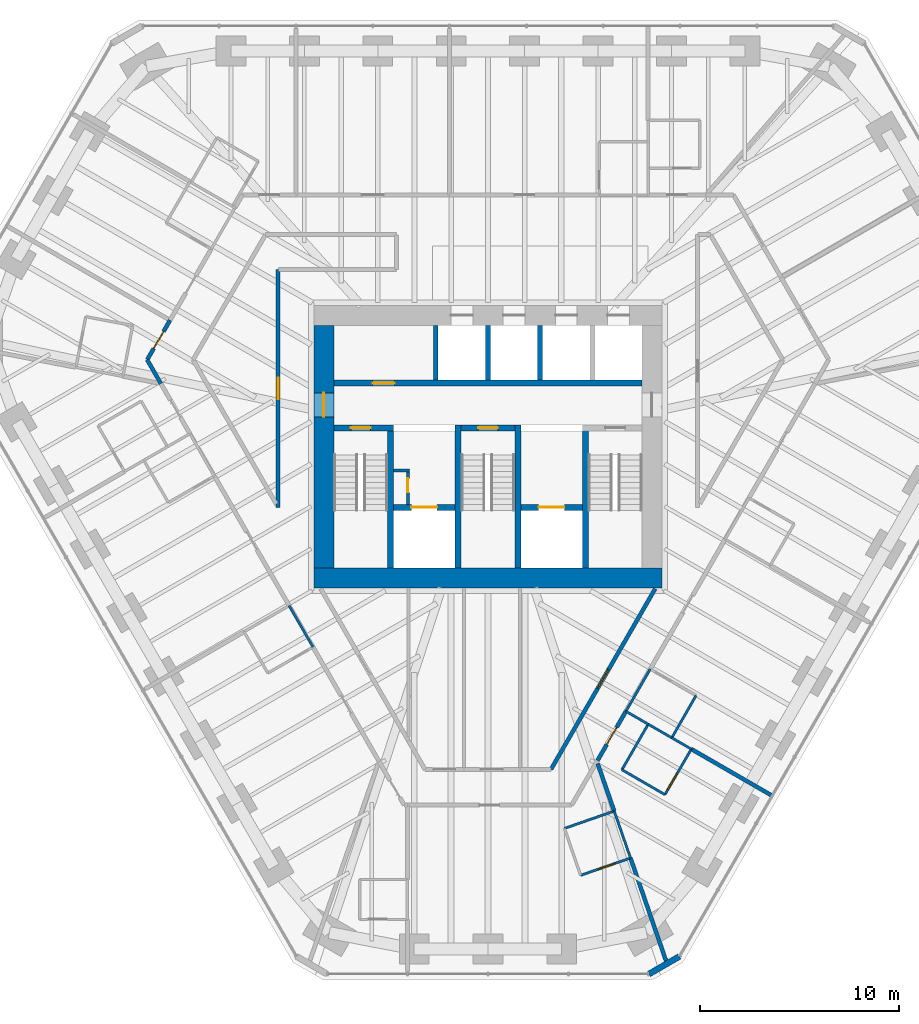
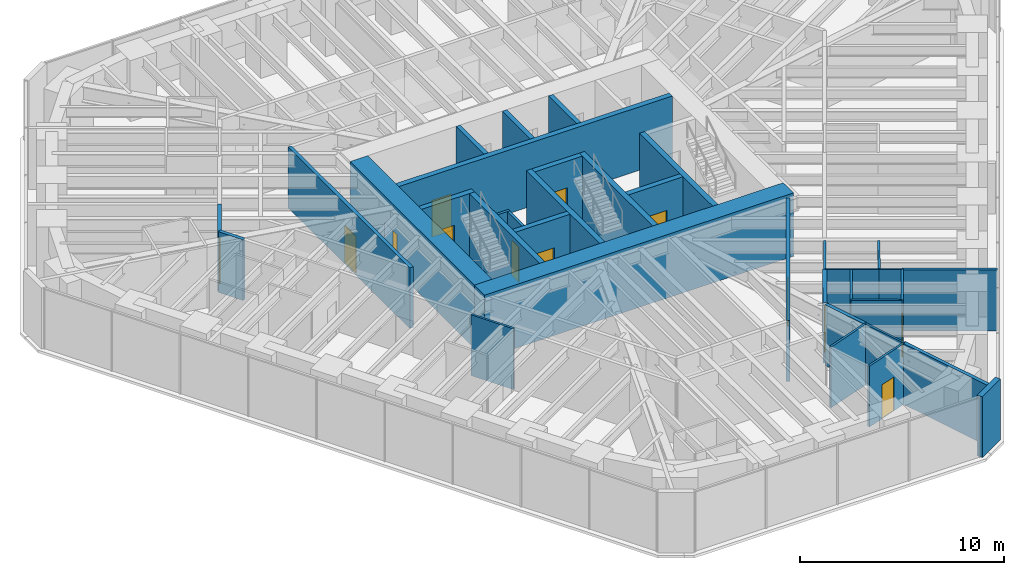
# One storey, part 12 of 16: 37 walls, 13 doors, 13 openings.
"""IFC4 building model written with IfcOpenShell, lengths in metres."""

from ifc_helpers import new_model, si_unit, direction, frame, frame_2d, origin, place, context, subcontext, project, spatial, rectangle, extrude, material, layer, layer_set, type_object, element, fill, save


model = new_model("IFC4")

# Units and contexts
model_context = context("Model", 3, precision=1e-05, world=origin(), true_north=direction((0.0, 1.0)))
body_context = subcontext(model_context, "Body", "Model", "MODEL_VIEW")
ifc_project = project(units=[si_unit("LENGTHUNIT", "METRE"), si_unit("AREAUNIT", "SQUARE_METRE"), si_unit("VOLUMEUNIT", "CUBIC_METRE"), si_unit("PLANEANGLEUNIT", "RADIAN"), si_unit("MASSUNIT", "GRAM", prefix="KILO")], contexts=[model_context])

# Site, building, storey
site_placement = place(None, origin())
site = spatial("IfcSite", under=ifc_project, at=site_placement, CompositionType="ELEMENT")
building_placement = place(site_placement, origin())
building = spatial("IfcBuilding", under=site, at=building_placement, Name="Sandreach Pilgrim Tower", CompositionType="ELEMENT")
storey_placement = place(building_placement, frame((0.0, 0.0, 228.800048828125)))
storey = spatial("IfcBuildingStorey", under=building, at=storey_placement, Name="L57", CompositionType="ELEMENT", Elevation=228.800048828125)

# Wall
ifc_material_1 = material(Name="Moisture-resistant gypsum board on steel studs", Category="steel")
ifc_layer_1 = layer(ifc_material_1, 0.1201171875)
ifc_layer_set_1 = layer_set([ifc_layer_1], Name="Bathroom partition 120")
wall_type_1 = type_object("IfcWallType", Name="Bathroom partition 120", PredefinedType="PARTITIONING", material=ifc_layer_set_1)
wall_1_placement = place(storey_placement, frame((-10.0, -8.0, 0.0), z_axis=(0.0, 0.0, 1.0), x_axis=(0.499693115345, -0.866202511239, 0.0)))
element("IfcWall", 1, at=wall_1_placement, inside=storey, type_object=wall_type_1, Name="Bathroom partition L57-040", PredefinedType="PARTITIONING", context=body_context, shape_type="SweptSolid", body=[
    extrude(rectangle(XDim=2.4013671875, YDim=0.1201171875, at=frame_2d((1.20068359375, 0.0))), origin(), (0.0, 0.0, 1.0), 3.639892578125),
])

# Wall, opening, door
wall_2_placement = place(storey_placement, frame((4.659912109375, -21.56005859375, 0.0), z_axis=(0.0, 0.0, 1.0), x_axis=(0.944838473769, 0.327536652126, 0.0)))
wall_2 = element("IfcWall", 2, at=wall_2_placement, inside=storey, type_object=wall_type_1, Name="Bathroom partition L57-068", PredefinedType="PARTITIONING", context=body_context, shape_type="SweptSolid", body=[
    extrude(rectangle(XDim=2.656494140625, YDim=0.1201171875, at=frame_2d((1.328125, 0.0))), origin(), (0.0, 0.0, 1.0), 3.639892578125),
])
opening_1_placement = place(wall_2_placement, frame((0.949951171875, 0.0, 0.0)))
opening_1 = element("IfcOpeningElement", 3, at=opening_1_placement, cuts=wall_2, Name="Opening D09-09B", PredefinedType="OPENING", context=body_context, shape_type="SweptSolid", body=[
    extrude(rectangle(XDim=0.89990234375, YDim=2.030029296875, at=frame_2d((0.449951171875, 1.01513671875))), frame((0.0, 0.06005859375, 0.0), z_axis=(0.0, -1.0, 0.0), x_axis=(1.0, 0.0, 0.0)), (0.0, 0.0, 1.0), 0.1201171875),
])
ifc_material_2 = material(Name="Timber door, steel frame", Category="steel")
door_type_1 = type_object("IfcDoorType", Name="Bathroom door", OperationType="SINGLE_SWING_LEFT", PredefinedType="DOOR", material=ifc_material_2)
door_1_placement = place(opening_1_placement, origin())
door_1 = element("IfcDoor", 4, at=door_1_placement, inside=storey, type_object=door_type_1, Name="Door 5709B", OperationType="SINGLE_SWING_RIGHT", OverallHeight=2.030029296875, OverallWidth=0.89990234375, PredefinedType="DOOR", context=body_context, shape_type="SweptSolid", body=[
    extrude(rectangle(XDim=0.89990234375, YDim=2.030029296875, at=frame_2d((0.449951171875, 1.01513671875))), frame((0.0, 0.02490234375, 0.0), z_axis=(0.0, -1.0, 0.0), x_axis=(1.0, 0.0, 0.0)), (0.0, 0.0, 1.0), 0.050048828125),
])
fill(opening_1, door_1)

# Walls
wall_3_placement = place(storey_placement, frame((6.35009765625, -18.330078125, 0.0), z_axis=(0.0, 0.0, 1.0), x_axis=(-0.944470666048, -0.328595740956, 0.0)))
element("IfcWall", 5, at=wall_3_placement, inside=storey, type_object=wall_type_1, Name="Bathroom partition L57-074", PredefinedType="PARTITIONING", context=body_context, shape_type="SweptSolid", body=[
    extrude(rectangle(XDim=2.647216796875, YDim=0.1201171875, at=frame_2d((1.32373046875, 0.0))), origin(), (0.0, 0.0, 1.0), 3.639892578125),
])
wall_4_placement = place(storey_placement, frame((6.35009765625, -18.330078125, 0.0), z_axis=(0.0, 0.0, 1.0), x_axis=(0.328164304993, -0.944620658745, 0.0)))
element("IfcWall", 6, at=wall_4_placement, inside=storey, type_object=wall_type_1, Name="Bathroom partition L57-075", PredefinedType="PARTITIONING", context=body_context, shape_type="SweptSolid", body=[
    extrude(rectangle(XDim=2.498291015625, YDim=0.1201171875, at=frame_2d((1.2490234375, 0.0))), origin(), (0.0, 0.0, 1.0), 3.639892578125),
])
wall_5_placement = place(storey_placement, frame((6.739990234375, -16.25, 0.0), z_axis=(0.0, 0.0, 1.0), x_axis=(0.865508881864, -0.500893576935, 0.0)))
element("IfcWall", 7, at=wall_5_placement, inside=storey, type_object=wall_type_1, Name="Bathroom partition L57-076", PredefinedType="PARTITIONING", context=body_context, shape_type="SweptSolid", body=[
    extrude(rectangle(XDim=2.49560546875, YDim=0.1201171875, at=frame_2d((1.247802734375, 0.0))), origin(), (0.0, 0.0, 1.0), 3.639892578125),
])
wall_6_placement = place(storey_placement, frame((6.93994140625, -13.31005859375, 0.0), z_axis=(0.0, 0.0, 1.0), x_axis=(0.864952631286, -0.501853510132, 0.0)))
element("IfcWall", 8, at=wall_6_placement, inside=storey, type_object=wall_type_1, Name="Bathroom partition L57-077", PredefinedType="PARTITIONING", context=body_context, shape_type="SweptSolid", body=[
    extrude(rectangle(XDim=1.294921875, YDim=0.1201171875, at=frame_2d((0.6474609375, 0.0))), origin(), (0.0, 0.0, 1.0), 3.639892578125),
])
wall_7_placement = place(storey_placement, frame((6.93994140625, -13.31005859375, 0.0), z_axis=(0.0, 0.0, 1.0), x_axis=(0.498748634132, 0.866746675766, 0.0)))
element("IfcWall", 9, at=wall_7_placement, inside=storey, type_object=wall_type_1, Name="Bathroom partition L57-078", PredefinedType="PARTITIONING", context=body_context, shape_type="SweptSolid", body=[
    extrude(rectangle(XDim=2.446044921875, YDim=0.1201171875, at=frame_2d((1.22314453125, 0.0))), origin(), (0.0, 0.0, 1.0), 3.639892578125),
])
wall_8_placement = place(storey_placement, frame((8.06005859375, -13.9599609375, 0.0), z_axis=(0.0, 0.0, 1.0), x_axis=(-0.499407914056, -0.866366975004, 0.0)))
element("IfcWall", 10, at=wall_8_placement, inside=storey, type_object=wall_type_1, Name="Bathroom partition L57-080", PredefinedType="PARTITIONING", context=body_context, shape_type="SweptSolid", body=[
    extrude(rectangle(XDim=2.643310546875, YDim=0.1201171875, at=frame_2d((1.32177734375, 0.0))), origin(), (0.0, 0.0, 1.0), 3.639892578125),
])
wall_9_placement = place(storey_placement, frame((8.06005859375, -13.9599609375, 0.0), z_axis=(0.0, 0.0, 1.0), x_axis=(0.866505716338, -0.499167149914, 0.0)))
element("IfcWall", 11, at=wall_9_placement, inside=storey, type_object=wall_type_1, Name="Bathroom partition L57-081", PredefinedType="PARTITIONING", context=body_context, shape_type="SweptSolid", body=[
    extrude(rectangle(XDim=1.370361328125, YDim=0.1201171875, at=frame_2d((0.68505859375, 0.0))), origin(), (0.0, 0.0, 1.0), 3.639892578125),
])

# Wall, opening, door
wall_10_placement = place(storey_placement, frame((8.89990234375, -17.5, 0.0), z_axis=(0.0, 0.0, 1.0), x_axis=(0.502242265546, 0.864726954997, 0.0)))
wall_10 = element("IfcWall", 12, at=wall_10_placement, inside=storey, type_object=wall_type_1, Name="Bathroom partition L57-091", PredefinedType="PARTITIONING", context=body_context, shape_type="SweptSolid", body=[
    extrude(rectangle(XDim=2.648193359375, YDim=0.1201171875, at=frame_2d((1.32421875, 0.0))), origin(), (0.0, 0.0, 1.0), 3.639892578125),
])
opening_2_placement = place(wall_10_placement, frame((0.300048828125, 0.0, 0.0)))
opening_2 = element("IfcOpeningElement", 13, at=opening_2_placement, cuts=wall_10, Name="Opening D09-08B", PredefinedType="OPENING", context=body_context, shape_type="SweptSolid", body=[
    extrude(rectangle(XDim=0.89990234375, YDim=2.030029296875, at=frame_2d((0.449951171875, 1.01513671875))), frame((0.0, 0.06005859375, 0.0), z_axis=(0.0, -1.0, 0.0), x_axis=(1.0, 0.0, 0.0)), (0.0, 0.0, 1.0), 0.1201171875),
])
door_2_placement = place(opening_2_placement, origin())
door_2 = element("IfcDoor", 14, at=door_2_placement, inside=storey, type_object=door_type_1, Name="Door 5708B", OperationType="SINGLE_SWING_LEFT", OverallHeight=2.030029296875, OverallWidth=0.89990234375, PredefinedType="DOOR", context=body_context, shape_type="SweptSolid", body=[
    extrude(rectangle(XDim=0.89990234375, YDim=2.030029296875, at=frame_2d((0.449951171875, 1.01513671875))), frame((0.0, 0.02490234375, 0.0), z_axis=(0.0, -1.0, 0.0), x_axis=(1.0, 0.0, 0.0)), (0.0, 0.0, 1.0), 0.050048828125),
])
fill(opening_2, door_2)

# Walls
wall_11_placement = place(storey_placement, frame((9.24755859375, -14.64404296875, 0.0), z_axis=(0.0, 0.0, 1.0), x_axis=(0.866515213998, -0.499150662536, 0.0)))
element("IfcWall", 15, at=wall_11_placement, inside=storey, type_object=wall_type_1, Name="Bathroom partition L57-092", PredefinedType="PARTITIONING", context=body_context, shape_type="SweptSolid", body=[
    extrude(rectangle(XDim=1.1337890625, YDim=0.1201171875, at=frame_2d((0.56689453125, 0.0))), origin(), (0.0, 0.0, 1.0), 3.639892578125),
])
wall_12_placement = place(storey_placement, frame((9.25, -14.639892578125, 0.0), z_axis=(0.0, 0.0, 1.0), x_axis=(0.497027744361, 0.86773464915, 0.0)))
element("IfcWall", 16, at=wall_12_placement, inside=storey, type_object=wall_type_1, Name="Bathroom partition L57-093", PredefinedType="PARTITIONING", context=body_context, shape_type="SweptSolid", body=[
    extrude(rectangle(XDim=2.45458984375, YDim=0.1201171875, at=frame_2d((1.227294921875, 0.0))), origin(), (0.0, 0.0, 1.0), 3.639892578125),
])
ifc_material_3 = material(Name="Concrete 10000 psi", Category="concrete")
ifc_layer_2 = layer(ifc_material_3, 0.300048828125)
ifc_layer_set_2 = layer_set([ifc_layer_2], Name="Core inner wall 300")
wall_type_2 = type_object("IfcWallType", Name="Core inner wall 300", PredefinedType="SHEAR", material=ifc_layer_set_2)
for number, where, z_axis, x_axis, name in (
    (17, (-4.89990234375, -6.10009765625, 0.0), (0.0, 0.0, 1.0), (0.0, 1.0, 0.0), "Core wall I0 L57"),
    (18, (-1.5, -6.10009765625, 0.0), (0.0, 0.0, 1.0), (0.0, 1.0, 0.0), "Core wall I1 L57"),
    (19, (1.5, -6.10009765625, 0.0), (0.0, 0.0, 1.0), (0.0, 1.0, 0.0), "Core wall I2 L57"),
    (20, (4.89990234375, -6.10009765625, 0.0), (0.0, 0.0, 1.0), (0.0, 1.0, 0.0), "Core wall I3 L57"),
):
    element("IfcWall", number, at=place(storey_placement, frame(where, z_axis=z_axis, x_axis=x_axis)), inside=storey, type_object=wall_type_2, Name=name, PredefinedType="SHEAR", context=body_context, shape_type="SweptSolid", body=[
        extrude(rectangle(XDim=7.2001953125, YDim=0.300048828125, at=frame_2d((3.60009765625, 0.0))), origin(), (0.0, 0.0, 1.0), 3.800048828125),
    ])

# Wall, opening, door
wall_13_placement = place(storey_placement, frame((-7.75, 0.949951171875, 0.0), z_axis=(0.0, 0.0, 1.0), x_axis=(1.0, 0.0, 0.0)))
wall_13 = element("IfcWall", 21, at=wall_13_placement, inside=storey, type_object=wall_type_2, Name="Core wall SN1 L57", PredefinedType="SHEAR", context=body_context, shape_type="SweptSolid", body=[
    extrude(rectangle(XDim=3.0, YDim=0.300048828125, at=frame_2d((1.5, 0.0))), origin(), (0.0, 0.0, 1.0), 3.800048828125),
])
opening_3_placement = place(wall_13_placement, frame((0.85009765625, 0.0, 0.0)))
opening_3 = element("IfcOpeningElement", 22, at=opening_3_placement, cuts=wall_13, Name="Opening D10S-ST1", PredefinedType="OPENING", context=body_context, shape_type="SweptSolid", body=[
    extrude(rectangle(XDim=1.0, YDim=2.199951171875, at=frame_2d((0.5, 1.10009765625))), frame((0.0, 0.14990234375, 0.0), z_axis=(0.0, -1.0, 0.0), x_axis=(1.0, 0.0, 0.0)), (0.0, 0.0, 1.0), 0.300048828125),
])
ifc_material_4 = material(Name="Steel door and frame", Category="steel")
door_type_2 = type_object("IfcDoorType", Name="Stair door", OperationType="SINGLE_SWING_LEFT", PredefinedType="DOOR", material=ifc_material_4)
door_3_placement = place(opening_3_placement, origin())
door_3 = element("IfcDoor", 23, at=door_3_placement, inside=storey, type_object=door_type_2, Name="Stair door ST1 L57", OperationType="SINGLE_SWING_LEFT", OverallHeight=2.199951171875, OverallWidth=1.0, PredefinedType="DOOR", context=body_context, shape_type="SweptSolid", body=[
    extrude(rectangle(XDim=1.0, YDim=2.199951171875, at=frame_2d((0.5, 1.10009765625))), frame((0.0, 0.02490234375, 0.0), z_axis=(0.0, -1.0, 0.0), x_axis=(1.0, 0.0, 0.0)), (0.0, 0.0, 1.0), 0.050048828125),
])
fill(opening_3, door_3)

wall_14_placement = place(storey_placement, frame((-1.35009765625, 0.949951171875, 0.0), z_axis=(0.0, 0.0, 1.0), x_axis=(1.0, 0.0, 0.0)))
wall_14 = element("IfcWall", 24, at=wall_14_placement, inside=storey, type_object=wall_type_2, Name="Core wall SN3 L57", PredefinedType="SHEAR", context=body_context, shape_type="SweptSolid", body=[
    extrude(rectangle(XDim=2.7001953125, YDim=0.300048828125, at=frame_2d((1.35009765625, 0.0))), origin(), (0.0, 0.0, 1.0), 3.800048828125),
])
opening_4_placement = place(wall_14_placement, frame((0.85009765625, 0.0, 0.0)))
opening_4 = element("IfcOpeningElement", 25, at=opening_4_placement, cuts=wall_14, Name="Opening D10S-ST3", PredefinedType="OPENING", context=body_context, shape_type="SweptSolid", body=[
    extrude(rectangle(XDim=1.0, YDim=2.199951171875, at=frame_2d((0.5, 1.10009765625))), frame((0.0, 0.14990234375, 0.0), z_axis=(0.0, -1.0, 0.0), x_axis=(1.0, 0.0, 0.0)), (0.0, 0.0, 1.0), 0.300048828125),
])
door_4_placement = place(opening_4_placement, origin())
door_4 = element("IfcDoor", 26, at=door_4_placement, inside=storey, type_object=door_type_2, Name="Stair door ST3 L57", OperationType="SINGLE_SWING_LEFT", OverallHeight=2.199951171875, OverallWidth=1.0, PredefinedType="DOOR", context=body_context, shape_type="SweptSolid", body=[
    extrude(rectangle(XDim=1.0, YDim=2.199951171875, at=frame_2d((0.5, 1.10009765625))), frame((0.0, 0.02490234375, 0.0), z_axis=(0.0, -1.0, 0.0), x_axis=(1.0, 0.0, 0.0)), (0.0, 0.0, 1.0), 0.050048828125),
])
fill(opening_4, door_4)

wall_15_placement = place(storey_placement, frame((-4.75, -3.050048828125, 0.0), z_axis=(0.0, 0.0, 1.0), x_axis=(1.0, 0.0, 0.0)))
wall_15 = element("IfcWall", 27, at=wall_15_placement, inside=storey, type_object=wall_type_2, Name="Core wall FL1 L57", PredefinedType="SHEAR", context=body_context, shape_type="SweptSolid", body=[
    extrude(rectangle(XDim=3.10009765625, YDim=0.300048828125, at=frame_2d((1.550048828125, 0.0))), origin(), (0.0, 0.0, 1.0), 3.800048828125),
])
opening_5_placement = place(wall_15_placement, frame((0.89990234375, 0.0, 0.0)))
opening_5 = element("IfcOpeningElement", 28, at=opening_5_placement, cuts=wall_15, Name="Opening LD13", PredefinedType="OPENING", context=body_context, shape_type="SweptSolid", body=[
    extrude(rectangle(XDim=1.300048828125, YDim=2.10009765625, at=frame_2d((0.64990234375, 1.050048828125))), frame((0.0, 0.14990234375, 0.0), z_axis=(0.0, -1.0, 0.0), x_axis=(1.0, 0.0, 0.0)), (0.0, 0.0, 1.0), 0.300048828125),
])
ifc_material_5 = material(Name="Steel door and frame", Category="steel")
door_type_3 = type_object("IfcDoorType", Name="Fire service lift landing door", OperationType="DOUBLE_DOOR_SLIDING", PredefinedType="DOOR", material=ifc_material_5)
door_5_placement = place(opening_5_placement, origin())
door_5 = element("IfcDoor", 29, at=door_5_placement, inside=storey, type_object=door_type_3, Name="Lift landing door FS1 L57", OperationType="DOUBLE_DOOR_SLIDING", OverallHeight=2.10009765625, OverallWidth=1.300048828125, PredefinedType="DOOR", context=body_context, shape_type="SweptSolid", body=[
    extrude(rectangle(XDim=1.300048828125, YDim=2.10009765625, at=frame_2d((0.64990234375, 1.050048828125))), frame((0.0, 0.02490234375, 0.0), z_axis=(0.0, -1.0, 0.0), x_axis=(1.0, 0.0, 0.0)), (0.0, 0.0, 1.0), 0.050048828125),
])
fill(opening_5, door_5)

wall_16_placement = place(storey_placement, frame((1.64990234375, -3.050048828125, 0.0), z_axis=(0.0, 0.0, 1.0), x_axis=(1.0, 0.0, 0.0)))
wall_16 = element("IfcWall", 30, at=wall_16_placement, inside=storey, type_object=wall_type_2, Name="Core wall FL2 L57", PredefinedType="SHEAR", context=body_context, shape_type="SweptSolid", body=[
    extrude(rectangle(XDim=3.10009765625, YDim=0.300048828125, at=frame_2d((1.550048828125, 0.0))), origin(), (0.0, 0.0, 1.0), 3.800048828125),
])
opening_6_placement = place(wall_16_placement, frame((0.89990234375, 0.0, 0.0)))
opening_6 = element("IfcOpeningElement", 31, at=opening_6_placement, cuts=wall_16, Name="Opening LD13", PredefinedType="OPENING", context=body_context, shape_type="SweptSolid", body=[
    extrude(rectangle(XDim=1.300048828125, YDim=2.10009765625, at=frame_2d((0.64990234375, 1.050048828125))), frame((0.0, 0.14990234375, 0.0), z_axis=(0.0, -1.0, 0.0), x_axis=(1.0, 0.0, 0.0)), (0.0, 0.0, 1.0), 0.300048828125),
])
door_6_placement = place(opening_6_placement, origin())
door_6 = element("IfcDoor", 32, at=door_6_placement, inside=storey, type_object=door_type_3, Name="Lift landing door FS2 L57", OperationType="DOUBLE_DOOR_SLIDING", OverallHeight=2.10009765625, OverallWidth=1.300048828125, PredefinedType="DOOR", context=body_context, shape_type="SweptSolid", body=[
    extrude(rectangle(XDim=1.300048828125, YDim=2.10009765625, at=frame_2d((0.64990234375, 1.050048828125))), frame((0.0, 0.02490234375, 0.0), z_axis=(0.0, -1.0, 0.0), x_axis=(1.0, 0.0, 0.0)), (0.0, 0.0, 1.0), 0.050048828125),
])
fill(opening_6, door_6)

wall_17_placement = place(storey_placement, frame((-7.75, 3.199951171875, 0.0), z_axis=(0.0, 0.0, 1.0), x_axis=(1.0, 0.0, 0.0)))
wall_17 = element("IfcWall", 33, at=wall_17_placement, inside=storey, type_object=wall_type_2, Name="Core wall PN L57", PredefinedType="SHEAR", context=body_context, shape_type="SweptSolid", body=[
    extrude(rectangle(XDim=15.5, YDim=0.300048828125, at=frame_2d((7.75, 0.0))), origin(), (0.0, 0.0, 1.0), 3.800048828125),
])
opening_7_placement = place(wall_17_placement, frame((1.949951171875, 0.0, 0.0)))
opening_7 = element("IfcOpeningElement", 34, at=opening_7_placement, cuts=wall_17, Name="Opening D11L", PredefinedType="OPENING", context=body_context, shape_type="SweptSolid", body=[
    extrude(rectangle(XDim=1.10009765625, YDim=2.199951171875, at=frame_2d((0.550048828125, 1.10009765625))), frame((0.0, 0.14990234375, 0.0), z_axis=(0.0, -1.0, 0.0), x_axis=(1.0, 0.0, 0.0)), (0.0, 0.0, 1.0), 0.300048828125),
])
ifc_material_6 = material(Name="Steel door and frame, smoke seals", Category="steel")
door_type_4 = type_object("IfcDoorType", Name="Core room door", OperationType="SINGLE_SWING_LEFT", PredefinedType="DOOR", material=ifc_material_6)
door_7_placement = place(opening_7_placement, origin())
door_7 = element("IfcDoor", 35, at=door_7_placement, inside=storey, type_object=door_type_4, Name="Door linen and housekeeping store 57K1", OperationType="SINGLE_SWING_LEFT", OverallHeight=2.199951171875, OverallWidth=1.10009765625, PredefinedType="DOOR", context=body_context, shape_type="SweptSolid", body=[
    extrude(rectangle(XDim=1.10009765625, YDim=2.199951171875, at=frame_2d((0.550048828125, 1.10009765625))), frame((0.0, 0.02490234375, 0.0), z_axis=(0.0, -1.0, 0.0), x_axis=(1.0, 0.0, 0.0)), (0.0, 0.0, 1.0), 0.050048828125),
])
fill(opening_7, door_7)

# Wall
ifc_material_7 = material(Name="Concrete 10000 psi", Category="concrete")
ifc_layer_3 = layer(ifc_material_7, 1.0)
ifc_layer_set_3 = layer_set([ifc_layer_3], Name="Core wall 1000")
wall_type_3 = type_object("IfcWallType", Name="Core wall 1000", PredefinedType="SHEAR", material=ifc_layer_set_3)
wall_18_placement = place(storey_placement, frame((-8.75, -6.60009765625, 0.0), z_axis=(0.0, 0.0, 1.0), x_axis=(1.0, 0.0, 0.0)))
element("IfcWall", 36, at=wall_18_placement, inside=storey, type_object=wall_type_3, Name="Core wall S L57", PredefinedType="SHEAR", context=body_context, shape_type="SweptSolid", body=[
    extrude(rectangle(XDim=17.5, YDim=1.0, at=frame_2d((8.75, 0.0))), origin(), (0.0, 0.0, 1.0), 3.800048828125),
])

# Wall, opening, door
wall_19_placement = place(storey_placement, frame((-8.25, -6.10009765625, 0.0), z_axis=(0.0, 0.0, 1.0), x_axis=(0.0, 1.0, 0.0)))
wall_19 = element("IfcWall", 37, at=wall_19_placement, inside=storey, type_object=wall_type_3, Name="Core wall W L57", PredefinedType="SHEAR", context=body_context, shape_type="SweptSolid", body=[
    extrude(rectangle(XDim=12.2001953125, YDim=1.0, at=frame_2d((6.10009765625, 0.0))), origin(), (0.0, 0.0, 1.0), 3.800048828125),
])
opening_8_placement = place(wall_19_placement, frame((7.60009765625, 0.0, 0.0)))
opening_8 = element("IfcOpeningElement", 38, at=opening_8_placement, cuts=wall_19, Name="Opening D12F-W", PredefinedType="OPENING", context=body_context, shape_type="SweptSolid", body=[
    extrude(rectangle(XDim=1.199951171875, YDim=2.199951171875, at=frame_2d((0.60009765625, 1.10009765625))), frame((0.0, 0.5, 0.0), z_axis=(0.0, -1.0, 0.0), x_axis=(1.0, 0.0, 0.0)), (0.0, 0.0, 1.0), 1.0),
])
ifc_material_8 = material(Name="Steel door and frame", Category="steel")
door_type_5 = type_object("IfcDoorType", Name="Fire lobby door", OperationType="SINGLE_SWING_LEFT", PredefinedType="DOOR", material=ifc_material_8)
door_8_placement = place(opening_8_placement, origin())
door_8 = element("IfcDoor", 39, at=door_8_placement, inside=storey, type_object=door_type_5, Name="Fire service lobby door W L57", OperationType="SINGLE_SWING_RIGHT", OverallHeight=2.199951171875, OverallWidth=1.199951171875, PredefinedType="DOOR", context=body_context, shape_type="SweptSolid", body=[
    extrude(rectangle(XDim=1.199951171875, YDim=2.199951171875, at=frame_2d((0.60009765625, 1.10009765625))), frame((0.0, 0.02490234375, 0.0), z_axis=(0.0, -1.0, 0.0), x_axis=(1.0, 0.0, 0.0)), (0.0, 0.0, 1.0), 0.050048828125),
])
fill(opening_8, door_8)

# Wall
ifc_material_9 = material(Name="Gypsum board on steel studs, two layers each side", Category="steel")
ifc_layer_4 = layer(ifc_material_9, 0.199951171875)
ifc_layer_set_4 = layer_set([ifc_layer_4], Name="Corridor wall 200")
wall_type_4 = type_object("IfcWallType", Name="Corridor wall 200", PredefinedType="PARTITIONING", material=ifc_layer_set_4)
wall_20_placement = place(storey_placement, frame((-17.139892578125, 4.3701171875, 0.0), z_axis=(0.0, 0.0, 1.0), x_axis=(0.498378346744, -0.866959643522, 0.0)))
element("IfcWall", 40, at=wall_20_placement, inside=storey, type_object=wall_type_4, Name="Corridor wall L57-016", PredefinedType="PARTITIONING", context=body_context, shape_type="SweptSolid", body=[
    extrude(rectangle(XDim=1.38427734375, YDim=0.199951171875, at=frame_2d((0.692138671875, 0.0))), origin(), (0.0, 0.0, 1.0), 3.639892578125),
])

# Wall, opening, door
wall_21_placement = place(storey_placement, frame((-17.139892578125, 4.3701171875, 0.0), z_axis=(0.0, 0.0, 1.0), x_axis=(0.500320071569, 0.865840531498, 0.0)))
wall_21 = element("IfcWall", 41, at=wall_21_placement, inside=storey, type_object=wall_type_4, Name="Corridor wall L57-017", PredefinedType="PARTITIONING", context=body_context, shape_type="SweptSolid", body=[
    extrude(rectangle(XDim=2.29833984375, YDim=0.199951171875, at=frame_2d((1.149169921875, 0.0))), origin(), (0.0, 0.0, 1.0), 3.639892578125),
])
opening_9_placement = place(wall_21_placement, frame((0.649169921875, 0.0, 0.0)))
opening_9 = element("IfcOpeningElement", 42, at=opening_9_placement, cuts=wall_21, Name="Opening D10-14", PredefinedType="OPENING", context=body_context, shape_type="SweptSolid", body=[
    extrude(rectangle(XDim=1.0, YDim=2.1298828125, at=frame_2d((0.5, 1.06494140625))), frame((0.0, 0.10009765625, 0.0), z_axis=(0.0, -1.0, 0.0), x_axis=(1.0, 0.0, 0.0)), (0.0, 0.0, 1.0), 0.199951171875),
])
ifc_material_10 = material(Name="Steel door and frame", Category="steel")
door_type_6 = type_object("IfcDoorType", Name="Guest room entry door", OperationType="SINGLE_SWING_LEFT", PredefinedType="DOOR", material=ifc_material_10)
door_9_placement = place(opening_9_placement, origin())
door_9 = element("IfcDoor", 43, at=door_9_placement, inside=storey, type_object=door_type_6, Name="Door 5714", OperationType="SINGLE_SWING_LEFT", OverallHeight=2.1298828125, OverallWidth=1.0, PredefinedType="DOOR", context=body_context, shape_type="SweptSolid", body=[
    extrude(rectangle(XDim=1.0, YDim=2.1298828125, at=frame_2d((0.5, 1.06494140625))), frame((0.0, 0.02490234375, 0.0), z_axis=(0.0, -1.0, 0.0), x_axis=(1.0, 0.0, 0.0)), (0.0, 0.0, 1.0), 0.050048828125),
])
fill(opening_9, door_9)

wall_22_placement = place(storey_placement, frame((-10.550048828125, 8.89990234375, 0.0), z_axis=(0.0, 0.0, 1.0), x_axis=(0.0, -1.0, 0.0)))
wall_22 = element("IfcWall", 44, at=wall_22_placement, inside=storey, type_object=wall_type_4, Name="Corridor wall L57-039", PredefinedType="PARTITIONING", context=body_context, shape_type="SweptSolid", body=[
    extrude(rectangle(XDim=11.949951171875, YDim=0.199951171875, at=frame_2d((5.97509765625, 0.0))), origin(), (0.0, 0.0, 1.0), 3.639892578125),
])
opening_10_placement = place(wall_22_placement, frame((5.425048828125, 0.0, 0.0)))
opening_10 = element("IfcOpeningElement", 45, at=opening_10_placement, cuts=wall_22, Name="Opening D11H-M1", PredefinedType="OPENING", context=body_context, shape_type="SweptSolid", body=[
    extrude(rectangle(XDim=1.10009765625, YDim=2.199951171875, at=frame_2d((0.550048828125, 1.10009765625))), frame((0.0, 0.10009765625, 0.0), z_axis=(0.0, -1.0, 0.0), x_axis=(1.0, 0.0, 0.0)), (0.0, 0.0, 1.0), 0.199951171875),
])
ifc_material_11 = material(Name="Steel door and frame", Category="steel")
door_type_7 = type_object("IfcDoorType", Name="Back of house door", OperationType="SINGLE_SWING_LEFT", PredefinedType="DOOR", material=ifc_material_11)
door_10_placement = place(opening_10_placement, origin())
door_10 = element("IfcDoor", 46, at=door_10_placement, inside=storey, type_object=door_type_7, Name="Door 57M1", OperationType="SINGLE_SWING_LEFT", OverallHeight=2.199951171875, OverallWidth=1.10009765625, PredefinedType="DOOR", context=body_context, shape_type="SweptSolid", body=[
    extrude(rectangle(XDim=1.10009765625, YDim=2.199951171875, at=frame_2d((0.550048828125, 1.10009765625))), frame((0.0, 0.02490234375, 0.0), z_axis=(0.0, -1.0, 0.0), x_axis=(1.0, 0.0, 0.0)), (0.0, 0.0, 1.0), 0.050048828125),
])
fill(opening_10, door_10)

wall_23_placement = place(storey_placement, frame((5.510009765625, -15.7900390625, 0.0), z_axis=(0.0, 0.0, 1.0), x_axis=(0.499505868716, 0.866310502717, 0.0)))
wall_23 = element("IfcWall", 47, at=wall_23_placement, inside=storey, type_object=wall_type_4, Name="Corridor wall L57-070", PredefinedType="PARTITIONING", context=body_context, shape_type="SweptSolid", body=[
    extrude(rectangle(XDim=2.86279296875, YDim=0.199951171875, at=frame_2d((1.431396484375, 0.0))), origin(), (0.0, 0.0, 1.0), 3.639892578125),
])
opening_11_placement = place(wall_23_placement, frame((0.931396484375, 0.0, 0.0)))
opening_11 = element("IfcOpeningElement", 48, at=opening_11_placement, cuts=wall_23, Name="Opening D10-08", PredefinedType="OPENING", context=body_context, shape_type="SweptSolid", body=[
    extrude(rectangle(XDim=1.0, YDim=2.1298828125, at=frame_2d((0.5, 1.06494140625))), frame((0.0, 0.10009765625, 0.0), z_axis=(0.0, -1.0, 0.0), x_axis=(1.0, 0.0, 0.0)), (0.0, 0.0, 1.0), 0.199951171875),
])
door_11_placement = place(opening_11_placement, origin())
door_11 = element("IfcDoor", 49, at=door_11_placement, inside=storey, type_object=door_type_6, Name="Door 5708", OperationType="SINGLE_SWING_LEFT", OverallHeight=2.1298828125, OverallWidth=1.0, PredefinedType="DOOR", context=body_context, shape_type="SweptSolid", body=[
    extrude(rectangle(XDim=1.0, YDim=2.1298828125, at=frame_2d((0.5, 1.06494140625))), frame((0.0, 0.02490234375, 0.0), z_axis=(0.0, -1.0, 0.0), x_axis=(1.0, 0.0, 0.0)), (0.0, 0.0, 1.0), 0.050048828125),
])
fill(opening_11, door_11)

wall_24_placement = place(storey_placement, frame((8.409912109375, -7.14990234375, 0.0), z_axis=(0.0, 0.0, 1.0), x_axis=(-0.499828628176, -0.866124322748, 0.0)))
wall_24 = element("IfcWall", 50, at=wall_24_placement, inside=storey, type_object=wall_type_4, Name="Corridor wall L57-090", PredefinedType="PARTITIONING", context=body_context, shape_type="SweptSolid", body=[
    extrude(rectangle(XDim=10.483642578125, YDim=0.199951171875, at=frame_2d((5.24169921875, 0.0))), origin(), (0.0, 0.0, 1.0), 3.639892578125),
])
opening_12_placement = place(wall_24_placement, frame((4.691650390625, 0.0, 0.0)))
opening_12 = element("IfcOpeningElement", 51, at=opening_12_placement, cuts=wall_24, Name="Opening D11H-S4", PredefinedType="OPENING", context=body_context, shape_type="SweptSolid", body=[
    extrude(rectangle(XDim=1.10009765625, YDim=2.199951171875, at=frame_2d((0.550048828125, 1.10009765625))), frame((0.0, 0.10009765625, 0.0), z_axis=(0.0, -1.0, 0.0), x_axis=(1.0, 0.0, 0.0)), (0.0, 0.0, 1.0), 0.199951171875),
])
door_12_placement = place(opening_12_placement, origin())
door_12 = element("IfcDoor", 52, at=door_12_placement, inside=storey, type_object=door_type_7, Name="Door 57S4", OperationType="SINGLE_SWING_LEFT", OverallHeight=2.199951171875, OverallWidth=1.10009765625, PredefinedType="DOOR", context=body_context, shape_type="SweptSolid", body=[
    extrude(rectangle(XDim=1.10009765625, YDim=2.199951171875, at=frame_2d((0.550048828125, 1.10009765625))), frame((0.0, 0.02490234375, 0.0), z_axis=(0.0, -1.0, 0.0), x_axis=(1.0, 0.0, 0.0)), (0.0, 0.0, 1.0), 0.050048828125),
])
fill(opening_12, door_12)

# Walls
ifc_material_12 = material(Name="Double steel stud acoustic wall, gypsum board", Category="steel")
ifc_layer_5 = layer(ifc_material_12, 0.199951171875)
ifc_layer_set_5 = layer_set([ifc_layer_5], Name="Party wall 200")
wall_type_5 = type_object("IfcWallType", Name="Party wall 200", PredefinedType="PARTITIONING", material=ifc_layer_set_5)
wall_25_placement = place(storey_placement, frame((5.517822265625, -15.938720703125, 0.0), z_axis=(0.0, 0.0, 1.0), x_axis=(0.328696386896, -0.94443564378, 0.0)))
element("IfcWall", 53, at=wall_25_placement, inside=storey, type_object=wall_type_5, Name="Party wall L57-071", PredefinedType="PARTITIONING", context=body_context, shape_type="SweptSolid", body=[
    extrude(rectangle(XDim=2.531982421875, YDim=0.199951171875, at=frame_2d((1.26611328125, 0.0))), origin(), (0.0, 0.0, 1.0), 3.639892578125),
])
wall_26_placement = place(storey_placement, frame((7.169921875, -20.68994140625, 0.0), z_axis=(0.0, 0.0, 1.0), x_axis=(0.326821657676, -0.945086029985, 0.0)))
element("IfcWall", 54, at=wall_26_placement, inside=storey, type_object=wall_type_5, Name="Party wall L57-079", PredefinedType="PARTITIONING", context=body_context, shape_type="SweptSolid", body=[
    extrude(rectangle(XDim=5.631103515625, YDim=0.199951171875, at=frame_2d((2.8154296875, 0.0))), origin(), (0.0, 0.0, 1.0), 3.639892578125),
])
wall_27_placement = place(storey_placement, frame((10.22998046875, -15.2099609375, 0.0), z_axis=(0.0, 0.0, 1.0), x_axis=(0.86600796803, -0.500030198396, 0.0)))
element("IfcWall", 55, at=wall_27_placement, inside=storey, type_object=wall_type_5, Name="Party wall L57-094", PredefinedType="PARTITIONING", context=body_context, shape_type="SweptSolid", body=[
    extrude(rectangle(XDim=4.669677734375, YDim=0.199951171875, at=frame_2d((2.3349609375, 0.0))), origin(), (0.0, 0.0, 1.0), 3.639892578125),
])

# Wall, opening, door
ifc_material_13 = material(Name="Gypsum shaft wall on steel studs, shaft liner board", Category="steel")
ifc_layer_6 = layer(ifc_material_13, 0.14990234375)
ifc_layer_set_6 = layer_set([ifc_layer_6], Name="Riser shaft wall 150")
wall_type_6 = type_object("IfcWallType", Name="Riser shaft wall 150", PredefinedType="PARTITIONING", material=ifc_layer_set_6)
wall_28_placement = place(storey_placement, frame((-4.02490234375, -2.89990234375, 0.0), z_axis=(0.0, 0.0, 1.0), x_axis=(0.0, 1.0, 0.0)))
wall_28 = element("IfcWall", 56, at=wall_28_placement, inside=storey, type_object=wall_type_6, Name="Riser partition L57 side", PredefinedType="PARTITIONING", context=body_context, shape_type="SweptSolid", body=[
    extrude(rectangle(XDim=1.77490234375, YDim=0.14990234375, at=frame_2d((0.887451171875, 0.0))), origin(), (0.0, 0.0, 1.0), 3.639892578125),
])
opening_13_placement = place(wall_28_placement, frame((0.60009765625, 0.0, 0.0)))
opening_13 = element("IfcOpeningElement", 57, at=opening_13_placement, cuts=wall_28, Name="Opening D07R", PredefinedType="OPENING", context=body_context, shape_type="SweptSolid", body=[
    extrude(rectangle(XDim=0.699951171875, YDim=2.10009765625, at=frame_2d((0.35009765625, 1.050048828125))), frame((0.0, 0.074951171875, 0.0), z_axis=(0.0, -1.0, 0.0), x_axis=(1.0, 0.0, 0.0)), (0.0, 0.0, 1.0), 0.14990234375),
])
ifc_material_14 = material(Name="Steel door and frame, smoke seals", Category="steel")
door_type_8 = type_object("IfcDoorType", Name="Riser access door", OperationType="SINGLE_SWING_RIGHT", PredefinedType="DOOR", material=ifc_material_14)
door_13_placement = place(opening_13_placement, origin())
door_13 = element("IfcDoor", 58, at=door_13_placement, inside=storey, type_object=door_type_8, Name="Door riser 57ER", OperationType="SINGLE_SWING_RIGHT", OverallHeight=2.10009765625, OverallWidth=0.699951171875, PredefinedType="DOOR", context=body_context, shape_type="SweptSolid", body=[
    extrude(rectangle(XDim=0.699951171875, YDim=2.10009765625, at=frame_2d((0.35009765625, 1.050048828125))), frame((0.0, 0.02490234375, 0.0), z_axis=(0.0, -1.0, 0.0), x_axis=(1.0, 0.0, 0.0)), (0.0, 0.0, 1.0), 0.050048828125),
])
fill(opening_13, door_13)

# Walls
wall_29_placement = place(storey_placement, frame((-4.75, -1.199951171875, 0.0), z_axis=(0.0, 0.0, 1.0), x_axis=(1.0, 0.0, 0.0)))
element("IfcWall", 59, at=wall_29_placement, inside=storey, type_object=wall_type_6, Name="Riser partition L57 front", PredefinedType="PARTITIONING", context=body_context, shape_type="SweptSolid", body=[
    extrude(rectangle(XDim=0.800048828125, YDim=0.14990234375, at=frame_2d((0.39990234375, 0.0))), origin(), (0.0, 0.0, 1.0), 3.639892578125),
])
ifc_material_15 = material(Name="Gypsum shaft wall on steel studs, two layers of shaft liner board", Category="steel")
ifc_layer_7 = layer(ifc_material_15, 0.25)
ifc_layer_set_7 = layer_set([ifc_layer_7], Name="Shaft partition 250")
wall_type_7 = type_object("IfcWallType", Name="Shaft partition 250", PredefinedType="PARTITIONING", material=ifc_layer_set_7)
for number, where, z_axis, x_axis, name in (
    (60, (-2.625, 3.35009765625, 0.0), (0.0, 0.0, 1.0), (0.0, 1.0, 0.0), "Shaft partition NS1 L57"),
    (61, (0.0, 3.35009765625, 0.0), (0.0, 0.0, 1.0), (0.0, 1.0, 0.0), "Shaft partition NS2 L57"),
    (62, (2.625, 3.35009765625, 0.0), (0.0, 0.0, 1.0), (0.0, 1.0, 0.0), "Shaft partition NS3 L57"),
):
    element("IfcWall", number, at=place(storey_placement, frame(where, z_axis=z_axis, x_axis=x_axis)), inside=storey, type_object=wall_type_7, Name=name, PredefinedType="PARTITIONING", context=body_context, shape_type="SweptSolid", body=[
        extrude(rectangle(XDim=2.75, YDim=0.25, at=frame_2d((1.375, 0.0))), origin(), (0.0, 0.0, 1.0), 3.800048828125),
    ])
ifc_material_16 = material(Name="Terracotta rainscreen on concrete", Category="masonry")
ifc_layer_8 = layer(ifc_material_16, 0.300048828125)
ifc_layer_set_8 = layer_set([ifc_layer_8], Name="Terracotta chamfer pier")
wall_type_8 = type_object("IfcWallType", Name="Terracotta chamfer pier", PredefinedType="SOLIDWALL", material=ifc_layer_set_8)
wall_30_placement = place(storey_placement, frame((9.63037109375, -25.64013671875, 0.0), z_axis=(0.0, 0.0, 1.0), x_axis=(-0.866036293601, -0.499981137809, 0.0)))
element("IfcWall", 63, at=wall_30_placement, inside=storey, type_object=wall_type_8, Name="Chamfer pier L57 SE", PredefinedType="SOLIDWALL", context=body_context, shape_type="SweptSolid", body=[
    extrude(rectangle(XDim=1.77001953125, YDim=0.300048828125, at=frame_2d((0.885009765625, 0.0))), origin(), (0.0, 0.0, 1.0), 3.639892578125),
])

save(model, "model.ifc")
